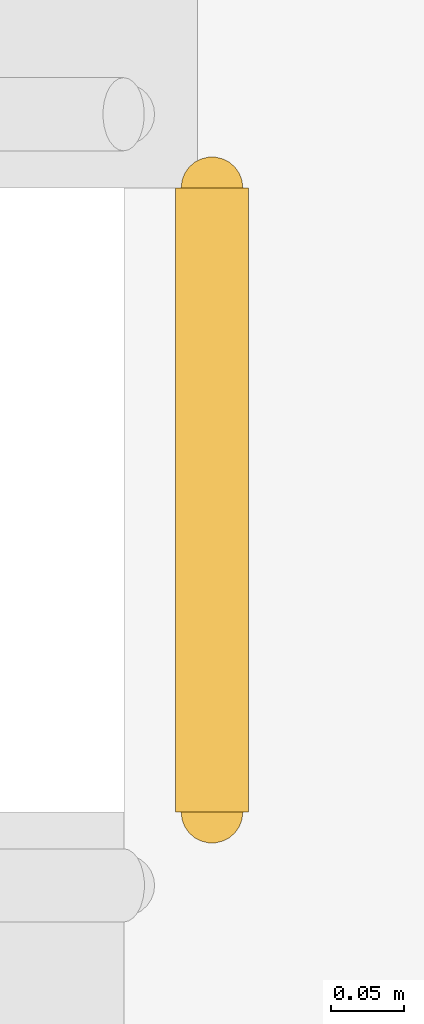
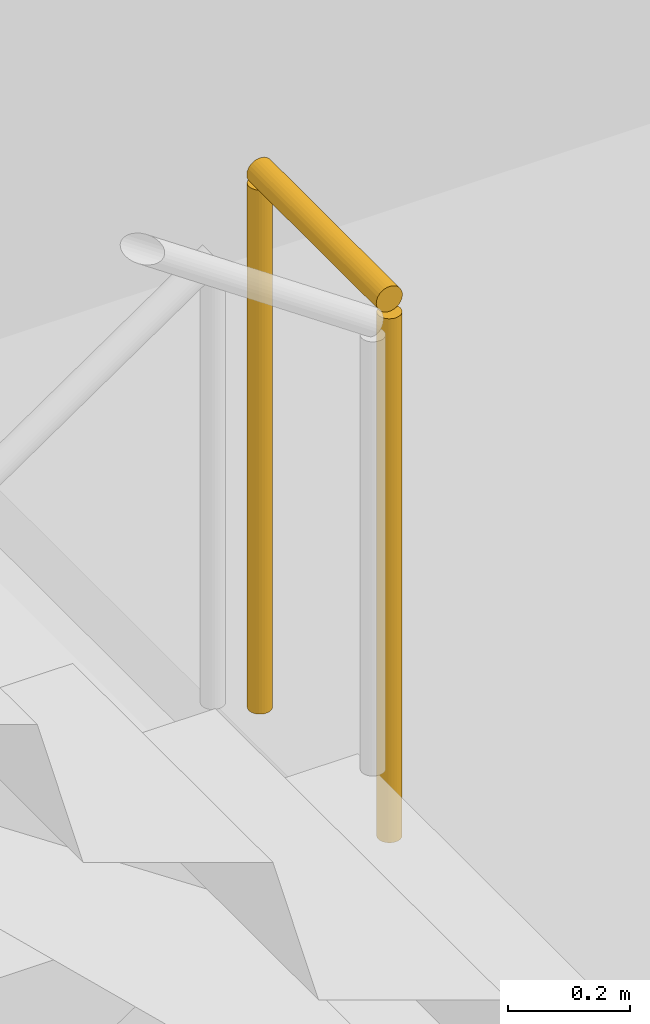
# One storey, part 56 of 61: 1 railing.
"""IFC4 building model written with IfcOpenShell, lengths in metres."""

from ifc_helpers import new_model, si_unit, direction, frame, origin, origin_2d, place, context, subcontext, project, spatial, circle, extrude, material, type_object, element, save


model = new_model("IFC4")

# Units and contexts
model_context = context("Model", 3, precision=1e-05, world=origin(), true_north=direction((0.0, 1.0)))
body_context = subcontext(model_context, "Body", "Model", "MODEL_VIEW")
ifc_project = project(units=[si_unit("LENGTHUNIT", "METRE"), si_unit("AREAUNIT", "SQUARE_METRE"), si_unit("VOLUMEUNIT", "CUBIC_METRE"), si_unit("PLANEANGLEUNIT", "RADIAN"), si_unit("MASSUNIT", "GRAM", prefix="KILO")], contexts=[model_context])

# Site, building, storey
site_placement = place(None, origin())
site = spatial("IfcSite", under=ifc_project, at=site_placement, CompositionType="ELEMENT")
building_placement = place(site_placement, origin())
building = spatial("IfcBuilding", under=site, at=building_placement, Name="Cour d'Honneur Mobility Palace", CompositionType="ELEMENT")
storey_placement = place(building_placement, frame((0.0, 0.0, 11.89990234375)))
storey = spatial("IfcBuildingStorey", under=building, at=storey_placement, Name="L03", CompositionType="ELEMENT", Elevation=11.89990234375)

# Railing
ifc_material = material(Name="Painted steel", Category="steel")
railing_type = type_object("IfcRailingType", Name="Guardrail 1100", PredefinedType="GUARDRAIL", material=ifc_material)
railing_placement = place(storey_placement, frame((159.68994140625, 112.64990234375, 1.85009765625)))
element("IfcRailing", 1, at=railing_placement, inside=storey, type_object=railing_type, Name="Landing guard ST-NE1", PredefinedType="GUARDRAIL", context=body_context, shape_type="SweptSolid", body=[
    extrude(circle(Radius=0.02490234375, at=origin_2d()), frame((0.0, 0.0, 1.0751953125), z_axis=(0.0, 1.0, 0.0), x_axis=(-1.0, 0.0, 0.0)), (0.0, 0.0, 1.0), 0.425048828125),
    extrude(circle(Radius=0.02099609375, at=origin_2d()), origin(), (0.0, 0.0, 1.0), 1.050048828125),
    extrude(circle(Radius=0.02099609375, at=origin_2d()), frame((0.0, 0.425048828125, 0.0)), (0.0, 0.0, 1.0), 1.050048828125),
])

save(model, "model.ifc")
